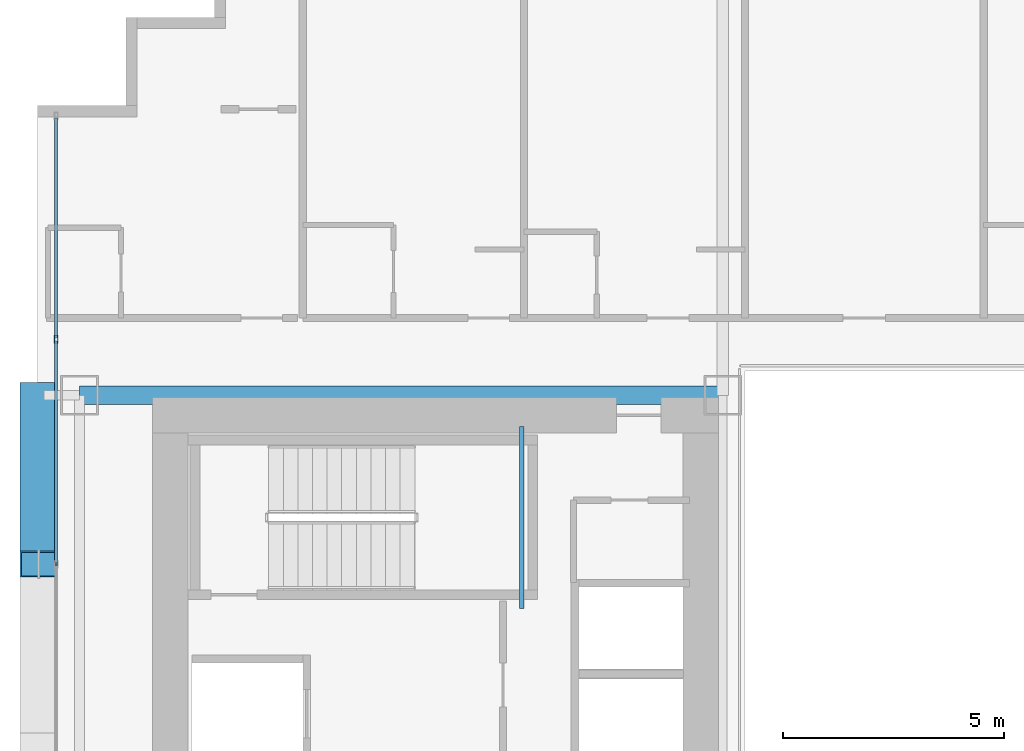
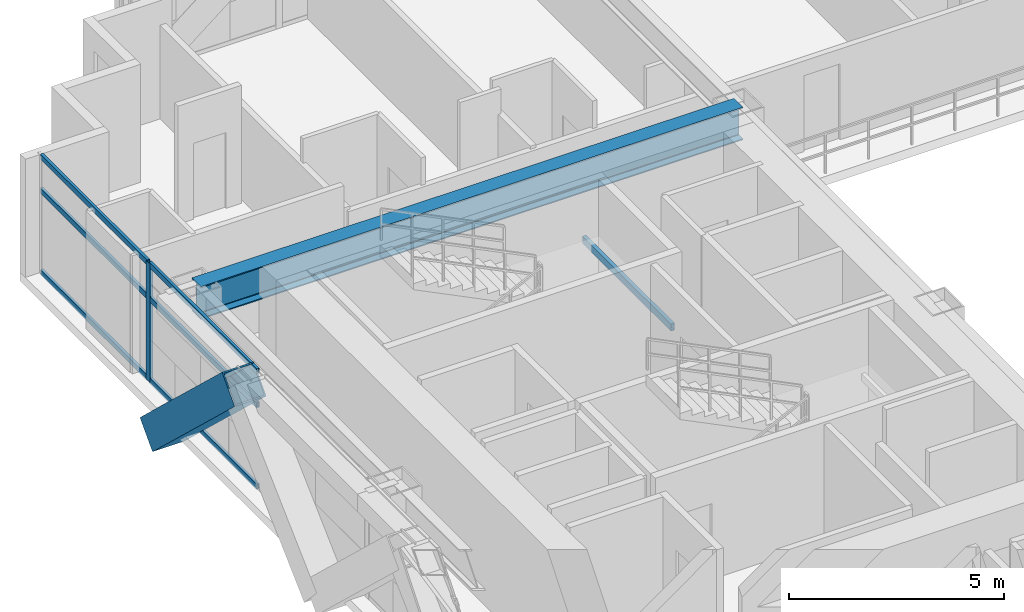
# One storey, part 16 of 35: 8 members, 2 beams, 1 element without a shape of its own.
"""IFC4 building model written with IfcOpenShell, lengths in metres."""

from ifc_helpers import new_model, si_unit, direction, frame, origin, origin_2d, place, context, subcontext, project, spatial, hollow_rectangle, i_section, extrude, source, transform, mapped, material, layer, layer_set, material_profile, profile_set, type_object, element, aggregate, save


model = new_model("IFC4")

# Units and contexts
model_context = context("Model", 3, precision=1e-05, world=origin(), true_north=direction((0.0, 1.0)))
body_context = subcontext(model_context, "Body", "Model", "MODEL_VIEW")
ifc_project = project(units=[si_unit("LENGTHUNIT", "METRE"), si_unit("AREAUNIT", "SQUARE_METRE"), si_unit("VOLUMEUNIT", "CUBIC_METRE"), si_unit("PLANEANGLEUNIT", "RADIAN"), si_unit("MASSUNIT", "GRAM", prefix="KILO")], contexts=[model_context])

# Site, building, storey
site_placement = place(None, origin())
site = spatial("IfcSite", under=ifc_project, at=site_placement, CompositionType="ELEMENT")
building_placement = place(site_placement, origin())
building = spatial("IfcBuilding", under=site, at=building_placement, Name="Ocotamira Hotel", CompositionType="ELEMENT")
storey_placement = place(building_placement, frame((0.0, 0.0, 70.800048828125)))
storey = spatial("IfcBuildingStorey", under=building, at=storey_placement, Name="L17", CompositionType="ELEMENT", Elevation=70.800048828125)

# Beams
ifc_material_1 = material(Name="Steel ASTM A500 Grade C", Category="steel")
ifc_material_profile_1 = material_profile(ifc_material_1, hollow_rectangle(XDim=0.10009765625, YDim=0.199951171875, WallThickness=0.008056640625, at=origin_2d()), Name="HSS200X100X8")
ifc_profile_set_1 = profile_set([ifc_material_profile_1], Name="Steel ASTM A500 Grade C")
beam_type_1 = type_object("IfcBeamType", Name="BM-STLDG-HSS200", PredefinedType="BEAM", material=ifc_profile_set_1)
shared_shape_1 = source(origin(), body_context, "Body", "SweptSolid", [
    extrude(hollow_rectangle(XDim=0.10009765625, YDim=0.199951171875, WallThickness=0.008056640625, at=origin_2d()), origin(), (0.0, 0.0, 1.0), 4.1201171875),
])
beam_1_placement = place(storey_placement, frame((18.949951171875, 32.6298828125, 1.5), z_axis=(0.0, 1.0, 0.0), x_axis=(-1.0, 0.0, 0.0)))
element("IfcBeam", 1, at=beam_1_placement, inside=storey, type_object=beam_type_1, Name="L17 Stair ST-2 Landing Bearer 1", PredefinedType="BEAM", context=body_context, shape_type="MappedRepresentation", body=[
    mapped(shared_shape_1, transform((0.0, 0.0, 0.0), scale=1.0)),
])
ifc_material_2 = material(Name="Steel ASTM A992 Grade 50", Category="steel")
ifc_material_profile_2 = material_profile(ifc_material_2, i_section(OverallWidth=0.41796875, OverallDepth=0.927001953125, WebThickness=0.019287109375, FlangeThickness=0.031982421875, FilletRadius=0.02392578125, at=origin_2d()), Name="W36X231")
ifc_profile_set_2 = profile_set([ifc_material_profile_2], Name="Steel ASTM A992 Grade 50")
beam_type_2 = type_object("IfcBeamType", Name="BM-GIRD-W36X231", PredefinedType="BEAM", material=ifc_profile_set_2)
shared_shape_2 = source(origin(), body_context, "Body", "SweptSolid", [
    extrude(i_section(OverallWidth=0.41796875, OverallDepth=0.927001953125, WebThickness=0.019287109375, FlangeThickness=0.031982421875, FilletRadius=0.02392578125, at=origin_2d()), origin(), (0.0, 0.0, 1.0), 14.550048828125),
])
beam_2_placement = place(storey_placement, frame((8.949951171875, 37.449951171875, 2.886474609375), z_axis=(1.0, 0.0, 0.0), x_axis=(0.0, 1.0, 0.0)))
element("IfcBeam", 2, at=beam_2_placement, inside=storey, type_object=beam_type_2, Name="L17 Girder Y37.45 X8.95-23.5", PredefinedType="BEAM", context=body_context, shape_type="MappedRepresentation", body=[
    mapped(shared_shape_2, transform((0.0, 0.0, 0.0), scale=1.0)),
])

# Member
ifc_material_3 = material(Name="Pale-metal coated steel ASTM A913 Grade 65", Category="steel")
ifc_material_profile_3 = material_profile(ifc_material_3, hollow_rectangle(XDim=0.85009765625, YDim=0.85009765625, WallThickness=0.035888671875, at=origin_2d()), Name="BOX850X850X36")
ifc_profile_set_3 = profile_set([ifc_material_profile_3], Name="Pale-metal coated steel ASTM A913 Grade 65")
member_type_1 = type_object("IfcMemberType", Name="MEM-EXO-BOX850", PredefinedType="BRACE", material=ifc_profile_set_3)
shared_shape_3 = source(origin(), body_context, "Body", "SweptSolid", [
    extrude(hollow_rectangle(XDim=0.85009765625, YDim=0.85009765625, WallThickness=0.035888671875, at=origin_2d()), origin(), (0.0, 0.0, 1.0), 5.24658203125),
])
member_1_placement = place(storey_placement, frame((8.030029296875, 37.449951171875, -0.5), z_axis=(0.0, -0.72746596067, 0.686143772154), x_axis=(1.0, 0.0, 0.0)))
element("IfcMember", 3, at=member_1_placement, inside=storey, type_object=member_type_1, Name="L17 Exoskeleton Diagrid W2.2", PredefinedType="BRACE", context=body_context, shape_type="MappedRepresentation", body=[
    mapped(shared_shape_3, transform((0.0, 0.0, 0.0), scale=1.0)),
])

# Curtain wall, members
ifc_material_4 = material(Name="Anodised pale-metal aluminium and solar glass", Category="aluminium")
ifc_layer = layer(ifc_material_4, 0.179931640625)
ifc_layer_set = layer_set([ifc_layer], Name="Anodised pale-metal aluminium and solar glass")
curtain_wall_type = type_object("IfcCurtainWallType", Name="CW-SYS2-Z1", PredefinedType="NOTDEFINED", material=ifc_layer_set)
curtain_wall_placement = place(storey_placement, origin())
curtain_wall = element("IfcCurtainWall", 4, at=curtain_wall_placement, inside=storey, type_object=curtain_wall_type, Name="L17 Curtain Wall CW-2 CW-L17-W", PredefinedType="NOTDEFINED")
ifc_material_5 = material(Name="Anodised pale-metal aluminium 6063-T6", Category="aluminium")
ifc_material_profile_4 = material_profile(ifc_material_5, hollow_rectangle(XDim=0.080078125, YDim=0.179931640625, WallThickness=0.006103515625, at=origin_2d()), Name="HSS180X80X6")
ifc_profile_set_4 = profile_set([ifc_material_profile_4], Name="Anodised pale-metal aluminium 6063-T6")
member_type_2 = type_object("IfcMemberType", Name="CWM-180X75", PredefinedType="MULLION", material=ifc_profile_set_4)
shared_shape_4 = source(origin(), body_context, "Body", "SweptSolid", [
    extrude(hollow_rectangle(XDim=0.080078125, YDim=0.179931640625, WallThickness=0.006103515625, at=origin_2d()), origin(), (0.0, 0.0, 1.0), 3.349853515625),
])
member_2_placement = place(storey_placement, frame((8.419921875, 38.71435546875, 0.0), z_axis=(0.0, 0.0, 1.0), x_axis=(-1.0, 0.0, 0.0)))
member_2 = element("IfcMember", 5, at=member_2_placement, type_object=member_type_2, Name="CW-2 mullion 7", PredefinedType="MULLION", context=body_context, shape_type="MappedRepresentation", body=[
    mapped(shared_shape_4, transform((0.0, 0.0, 0.0), scale=1.0)),
])
ifc_material_profile_5 = material_profile(ifc_material_5, hollow_rectangle(XDim=0.074951171875, YDim=0.14990234375, WallThickness=0.006103515625, at=origin_2d()), Name="HSS150X75X6")
ifc_profile_set_5 = profile_set([ifc_material_profile_5], Name="Anodised pale-metal aluminium 6063-T6")
member_type_3 = type_object("IfcMemberType", Name="CWT-150X75", PredefinedType="USERDEFINED", material=ifc_profile_set_5)
shared_shape_5 = source(origin(), body_context, "Body", "SweptSolid", [
    extrude(hollow_rectangle(XDim=0.074951171875, YDim=0.14990234375, WallThickness=0.006103515625, at=origin_2d()), origin(), (0.0, 0.0, 1.0), 4.965576171875),
])
member_3_placement = place(storey_placement, frame((8.419921875, 38.75439453125, 0.037353515625), z_axis=(0.0, 1.0, 0.0), x_axis=(-1.0, 0.0, 0.0)))
member_3 = element("IfcMember", 6, at=member_3_placement, type_object=member_type_3, Name="CW-2 transom 7.1", ObjectType="TRANSOM", PredefinedType="USERDEFINED", context=body_context, shape_type="MappedRepresentation", body=[
    mapped(shared_shape_5, transform((0.0, 0.0, 0.0), scale=1.0)),
])
member_4_placement = place(storey_placement, frame((8.419921875, 38.75439453125, 2.349853515625), z_axis=(0.0, 1.0, 0.0), x_axis=(-1.0, 0.0, 0.0)))
member_4 = element("IfcMember", 7, at=member_4_placement, type_object=member_type_3, Name="CW-2 transom 7.2", ObjectType="TRANSOM", PredefinedType="USERDEFINED", context=body_context, shape_type="MappedRepresentation", body=[
    mapped(shared_shape_5, transform((0.0, 0.0, 0.0), scale=1.0)),
])
member_5_placement = place(storey_placement, frame((8.419921875, 38.75439453125, 3.3125), z_axis=(0.0, 1.0, 0.0), x_axis=(-1.0, 0.0, 0.0)))
member_5 = element("IfcMember", 8, at=member_5_placement, type_object=member_type_3, Name="CW-2 transom 7.3", ObjectType="TRANSOM", PredefinedType="USERDEFINED", context=body_context, shape_type="MappedRepresentation", body=[
    mapped(shared_shape_5, transform((0.0, 0.0, 0.0), scale=1.0)),
])
shared_shape_6 = source(origin(), body_context, "Body", "SweptSolid", [
    extrude(hollow_rectangle(XDim=0.074951171875, YDim=0.14990234375, WallThickness=0.006103515625, at=origin_2d()), origin(), (0.0, 0.0, 1.0), 5.005859375),
])
member_6_placement = place(storey_placement, frame((8.419921875, 33.66845703125, 0.037353515625), z_axis=(0.0, 1.0, 0.0), x_axis=(-1.0, 0.0, 0.0)))
member_6 = element("IfcMember", 9, at=member_6_placement, type_object=member_type_3, Name="CW-2 transom 6.1", ObjectType="TRANSOM", PredefinedType="USERDEFINED", context=body_context, shape_type="MappedRepresentation", body=[
    mapped(shared_shape_6, transform((0.0, 0.0, 0.0), scale=1.0)),
])
member_7_placement = place(storey_placement, frame((8.419921875, 33.66845703125, 2.349853515625), z_axis=(0.0, 1.0, 0.0), x_axis=(-1.0, 0.0, 0.0)))
member_7 = element("IfcMember", 10, at=member_7_placement, type_object=member_type_3, Name="CW-2 transom 6.2", ObjectType="TRANSOM", PredefinedType="USERDEFINED", context=body_context, shape_type="MappedRepresentation", body=[
    mapped(shared_shape_6, transform((0.0, 0.0, 0.0), scale=1.0)),
])
member_8_placement = place(storey_placement, frame((8.419921875, 33.66845703125, 3.3125), z_axis=(0.0, 1.0, 0.0), x_axis=(-1.0, 0.0, 0.0)))
member_8 = element("IfcMember", 11, at=member_8_placement, type_object=member_type_3, Name="CW-2 transom 6.3", ObjectType="TRANSOM", PredefinedType="USERDEFINED", context=body_context, shape_type="MappedRepresentation", body=[
    mapped(shared_shape_6, transform((0.0, 0.0, 0.0), scale=1.0)),
])
aggregate(curtain_wall, [member_2, member_6, member_7, member_8, member_3, member_4, member_5])

save(model, "model.ifc")
